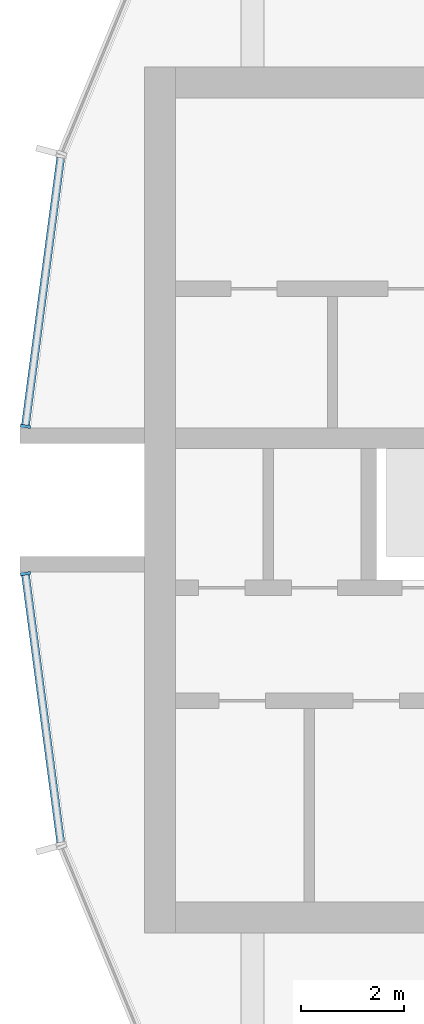
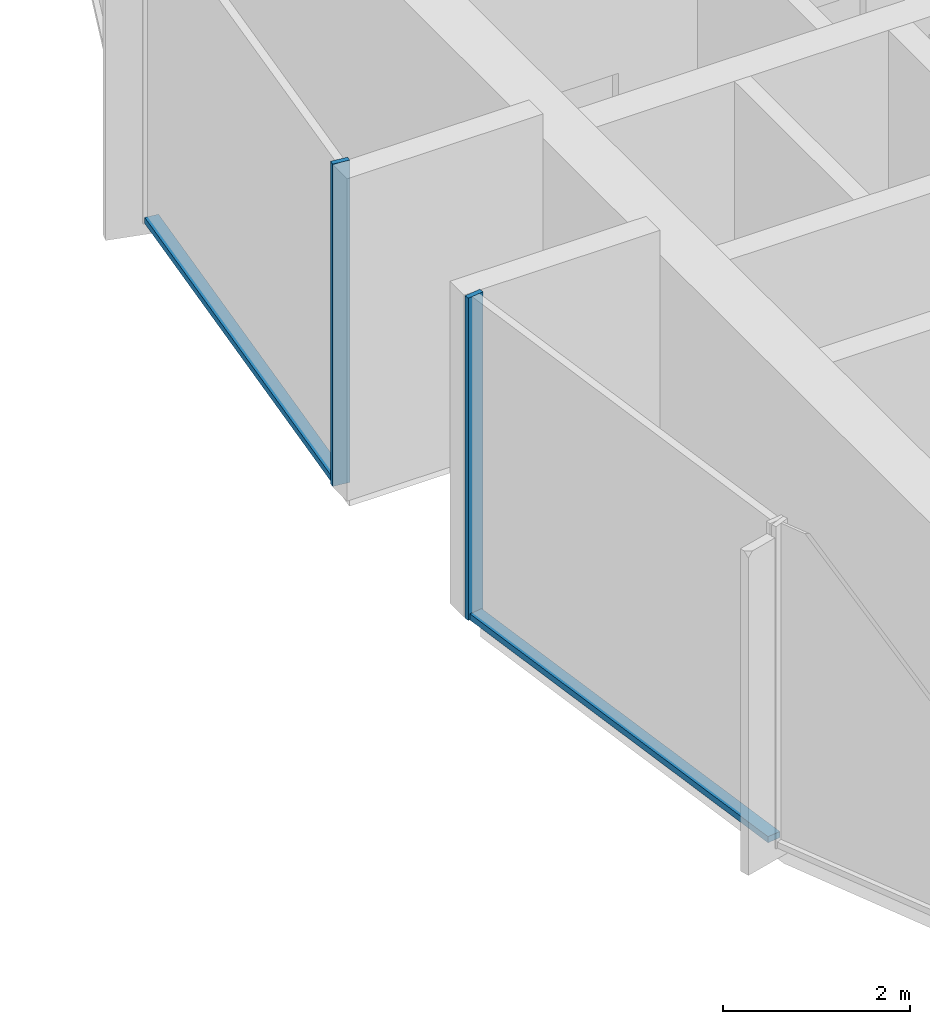
# One storey, part 3 of 15: 4 members, 2 elements without a shape of their own.
"""IFC4 building model written with IfcOpenShell, lengths in metres."""

from ifc_helpers import new_model, si_unit, direction, frame, origin, origin_2d, place, context, subcontext, project, spatial, rectangle, extrude, material, layer, layer_set, material_profile, profile_set, type_object, element, aggregate, save


model = new_model("IFC4")

# Units and contexts
model_context = context("Model", 3, precision=1e-05, world=origin(), true_north=direction((0.0, 1.0)))
body_context = subcontext(model_context, "Body", "Model", "MODEL_VIEW")
ifc_project = project(units=[si_unit("LENGTHUNIT", "METRE"), si_unit("AREAUNIT", "SQUARE_METRE"), si_unit("VOLUMEUNIT", "CUBIC_METRE"), si_unit("PLANEANGLEUNIT", "RADIAN"), si_unit("MASSUNIT", "GRAM", prefix="KILO")], contexts=[model_context])

# Site, building, storey
site_placement = place(None, origin())
site = spatial("IfcSite", under=ifc_project, at=site_placement, CompositionType="ELEMENT")
building_placement = place(site_placement, origin())
building = spatial("IfcBuilding", under=site, at=building_placement, Name="Torre Brocal", CompositionType="ELEMENT")
storey_placement = place(building_placement, frame((0.0, 0.0, 241.5)))
storey = spatial("IfcBuildingStorey", under=building, at=storey_placement, Name="L55", CompositionType="ELEMENT", Elevation=241.5)

# Curtain wall, member
ifc_material_1 = material(Name="Aluminium and glass", Category="aluminium")
ifc_layer = layer(ifc_material_1, 0.199951171875)
ifc_layer_set = layer_set([ifc_layer], Name="Aluminium and glass")
curtain_wall_type = type_object("IfcCurtainWallType", Name="CW-1B CURTAIN WALL 4200 HIGH", PredefinedType="NOTDEFINED", material=ifc_layer_set)
curtain_wall_1_placement = place(storey_placement, origin())
curtain_wall_1 = element("IfcCurtainWall", 1, at=curtain_wall_1_placement, inside=storey, type_object=curtain_wall_type, Name="CW-1B RUN 12", PredefinedType="NOTDEFINED")
ifc_material_2 = material(Name="Aluminium, dark anodised", Category="aluminium")
ifc_material_profile_1 = material_profile(ifc_material_2, rectangle(XDim=0.199951171875, YDim=0.06005859375, at=origin_2d()), Name="CW-1B MULLION 60X200")
ifc_profile_set_1 = profile_set([ifc_material_profile_1], Name="Aluminium, dark anodised")
member_type_1 = type_object("IfcMemberType", Name="CW-1B MULLION 60X200", PredefinedType="MULLION", material=ifc_profile_set_1)
member_1_placement = place(storey_placement, frame((54.2890625, 76.4296875, 0.0), z_axis=(0.0, 0.0, 1.0), x_axis=(0.991444861374, -0.13052619222, 0.0)))
member_1 = element("IfcMember", 2, at=member_1_placement, type_object=member_type_1, Name="CW1B-5 mullion 2", PredefinedType="MULLION", context=body_context, shape_type="SweptSolid", body=[
    extrude(rectangle(XDim=0.199951171875, YDim=0.06005859375, at=origin_2d()), origin(), (0.0, 0.0, 1.0), 4.199951171875),
])

curtain_wall_2_placement = place(storey_placement, origin())
curtain_wall_2 = element("IfcCurtainWall", 3, at=curtain_wall_2_placement, inside=storey, type_object=curtain_wall_type, Name="CW-1B RUN 13", PredefinedType="NOTDEFINED")
member_2_placement = place(storey_placement, frame((54.2890625, 73.5703125, 0.0), z_axis=(0.0, 0.0, 1.0), x_axis=(0.991444861374, 0.13052619222, 0.0)))
member_2 = element("IfcMember", 4, at=member_2_placement, type_object=member_type_1, Name="CW1B-5 mullion 1", PredefinedType="MULLION", context=body_context, shape_type="SweptSolid", body=[
    extrude(rectangle(XDim=0.199951171875, YDim=0.06005859375, at=origin_2d()), origin(), (0.0, 0.0, 1.0), 4.199951171875),
])

# Member
ifc_material_3 = material(Name="Aluminium, dark anodised", Category="aluminium")
ifc_material_profile_2 = material_profile(ifc_material_3, rectangle(XDim=0.159912109375, YDim=0.080078125, at=origin_2d()), Name="CW-1B TRANSOM 160X80")
ifc_profile_set_2 = profile_set([ifc_material_profile_2], Name="Aluminium, dark anodised")
member_type_2 = type_object("IfcMemberType", Name="CW-1B TRANSOM 160X80", PredefinedType="USERDEFINED", material=ifc_profile_set_2)
member_3_placement = place(storey_placement, frame((54.9755859375, 81.643798828125, 0.0400390625), z_axis=(-0.130542677827, -0.991442690863, 0.0), x_axis=(0.991442690863, -0.130542677827, 0.0)))
member_3 = element("IfcMember", 5, at=member_3_placement, type_object=member_type_2, Name="CW1B-5 transom 1.1", ObjectType="TRANSOM", PredefinedType="USERDEFINED", context=body_context, shape_type="SweptSolid", body=[
    extrude(rectangle(XDim=0.159912109375, YDim=0.080078125, at=origin_2d()), origin(), (0.0, 0.0, 1.0), 5.22900390625),
])

aggregate(curtain_wall_1, [member_1, member_3])

member_4_placement = place(storey_placement, frame((54.29296875, 73.54052734375, 0.0400390625), z_axis=(0.130542677827, -0.991442690863, 0.0), x_axis=(0.991442690863, 0.130542677827, 0.0)))
member_4 = element("IfcMember", 6, at=member_4_placement, type_object=member_type_2, Name="CW1B-5 transom 1.1", ObjectType="TRANSOM", PredefinedType="USERDEFINED", context=body_context, shape_type="SweptSolid", body=[
    extrude(rectangle(XDim=0.159912109375, YDim=0.080078125, at=origin_2d()), origin(), (0.0, 0.0, 1.0), 5.22900390625),
])

aggregate(curtain_wall_2, [member_2, member_4])

save(model, "model.ifc")
